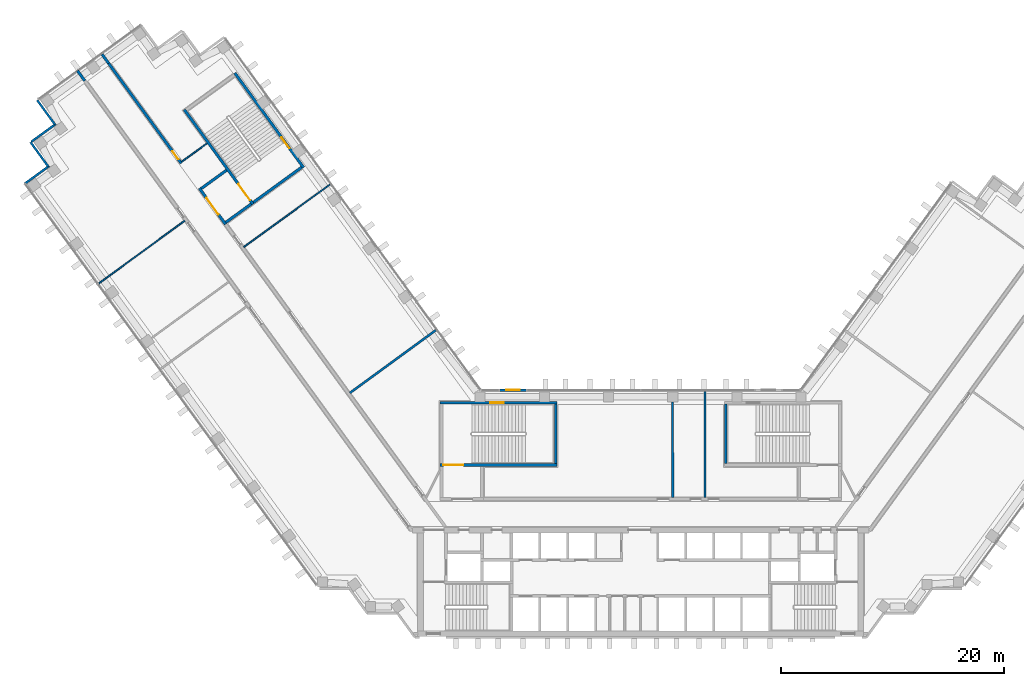
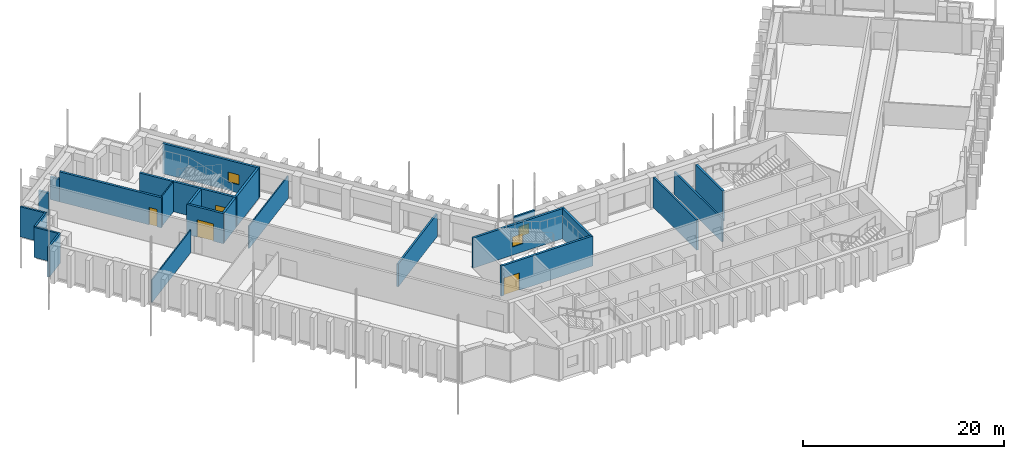
# One storey, part 11 of 16: 24 walls, 4 doors, 3 windows, 7 openings.
"""IFC4 building model written with IfcOpenShell, lengths in metres."""

from ifc_helpers import new_model, si_unit, direction, frame, frame_2d, origin, place, context, subcontext, project, spatial, rectangle, extrude, material, layer, layer_set, type_object, element, fill, save


model = new_model("IFC4")

# Units and contexts
model_context = context("Model", 3, precision=1e-05, world=origin(), true_north=direction((0.0, 1.0)))
body_context = subcontext(model_context, "Body", "Model", "MODEL_VIEW")
ifc_project = project(units=[si_unit("LENGTHUNIT", "METRE"), si_unit("AREAUNIT", "SQUARE_METRE"), si_unit("VOLUMEUNIT", "CUBIC_METRE"), si_unit("PLANEANGLEUNIT", "RADIAN"), si_unit("MASSUNIT", "GRAM", prefix="KILO")], contexts=[model_context])

# Site, building, storey
site_placement = place(None, origin())
site = spatial("IfcSite", under=ifc_project, at=site_placement, CompositionType="ELEMENT")
building_placement = place(site_placement, origin())
building = spatial("IfcBuilding", under=site, at=building_placement, Name="Quipu Civic Tower", CompositionType="ELEMENT")
storey_placement = place(building_placement, frame((0.0, 0.0, 125.0)))
storey = spatial("IfcBuildingStorey", under=building, at=storey_placement, Name="L29", CompositionType="ELEMENT", Elevation=125.0)

# Walls
ifc_material_1 = material(Name="Fired clay blockwork", Category="masonry")
ifc_layer_1 = layer(ifc_material_1, 0.199951171875)
ifc_layer_set_1 = layer_set([ifc_layer_1], Name="Fired clay blockwork")
wall_type_1 = type_object("IfcWallType", Name="Blockwork wall 200", PredefinedType="SOLIDWALL", material=ifc_layer_set_1)
wall_1_placement = place(storey_placement, frame((5.778076171875, 11.0, 0.0), z_axis=(0.0, 0.0, 1.0), x_axis=(0.0, -1.0, 0.0)))
element("IfcWall", 1, at=wall_1_placement, inside=storey, type_object=wall_type_1, Name="Partition P02", PredefinedType="SOLIDWALL", context=body_context, shape_type="SweptSolid", body=[
    extrude(rectangle(XDim=9.550048828125, YDim=0.199951171875, at=frame_2d((4.77490234375, 0.0))), origin(), (0.0, 0.0, 1.0), 2.75),
])
wall_2_placement = place(storey_placement, frame((2.87890625, 1.449951171875, 0.0), z_axis=(0.0, 0.0, 1.0), x_axis=(-0.002357613104, 0.999997220826, 0.0)))
element("IfcWall", 2, at=wall_2_placement, inside=storey, type_object=wall_type_1, Name="Partition P04", PredefinedType="SOLIDWALL", context=body_context, shape_type="SweptSolid", body=[
    extrude(rectangle(XDim=8.594970703125, YDim=0.199951171875, at=frame_2d((4.29736328125, 0.0))), origin(), (0.0, 0.0, 1.0), 3.64990234375),
])
wall_3_placement = place(storey_placement, frame((-26.089111328125, 10.847900390625, 0.0), z_axis=(0.0, 0.0, 1.0), x_axis=(0.807661302092, 0.589646691759, 0.0)))
element("IfcWall", 3, at=wall_3_placement, inside=storey, type_object=wall_type_1, Name="Partition P08", PredefinedType="SOLIDWALL", context=body_context, shape_type="SweptSolid", body=[
    extrude(rectangle(XDim=9.550048828125, YDim=0.199951171875, at=frame_2d((4.77490234375, 0.0))), origin(), (0.0, 0.0, 1.0), 2.75),
])

# Wall, opening, door
ifc_material_2 = material(Name="Concrete C70/85", Category="concrete")
ifc_layer_2 = layer(ifc_material_2, 0.25)
ifc_layer_set_2 = layer_set([ifc_layer_2], Name="Concrete C70/85")
wall_type_2 = type_object("IfcWallType", Name="Core wall 250", PredefinedType="SHEAR", material=ifc_layer_set_2)
wall_4_placement = place(storey_placement, frame((-18.0, 4.375, 0.0), z_axis=(0.0, 0.0, 1.0), x_axis=(1.0, 0.0, 0.0)))
wall_4 = element("IfcWall", 4, at=wall_4_placement, inside=storey, type_object=wall_type_2, Name="Core wall", PredefinedType="SHEAR", context=body_context, shape_type="SweptSolid", body=[
    extrude(rectangle(XDim=10.5, YDim=0.25, at=frame_2d((5.25, 0.0))), origin(), (0.0, 0.0, 1.0), 3.64990234375),
])
opening_1_placement = place(wall_4_placement, frame((0.300048828125, 0.0, 0.0)))
opening_1 = element("IfcOpeningElement", 5, at=opening_1_placement, cuts=wall_4, Name="Opening CD-17", PredefinedType="OPENING", context=body_context, shape_type="SweptSolid", body=[
    extrude(rectangle(XDim=1.800048828125, YDim=2.10009765625, at=frame_2d((0.89990234375, 1.050048828125))), frame((0.0, 0.135009765625, 0.0), z_axis=(0.0, -1.0, 0.0), x_axis=(1.0, 0.0, 0.0)), (0.0, 0.0, 1.0), 0.27001953125),
])
ifc_material_3 = material(Name="Fire rated steel door", Category="steel")
door_type_1 = type_object("IfcDoorType", Name="Fire door FD90 double 1800 x 2100", OperationType="NOTDEFINED", PredefinedType="DOOR", material=ifc_material_3)
door_1_placement = place(opening_1_placement, origin())
door_1 = element("IfcDoor", 6, at=door_1_placement, inside=storey, type_object=door_type_1, Name="Door", OperationType="DOUBLE_DOOR_SINGLE_SWING", OverallHeight=2.10009765625, OverallWidth=1.800048828125, PredefinedType="DOOR", context=body_context, shape_type="SweptSolid", body=[
    extrude(rectangle(XDim=1.800048828125, YDim=2.10009765625, at=frame_2d((0.89990234375, 1.050048828125))), frame((0.0, 0.02490234375, 0.0), z_axis=(0.0, -1.0, 0.0), x_axis=(1.0, 0.0, 0.0)), (0.0, 0.0, 1.0), 0.050048828125),
])
fill(opening_1, door_1)

# Wall
wall_5_placement = place(storey_placement, frame((-7.625, 4.5, 0.0), z_axis=(0.0, 0.0, 1.0), x_axis=(0.0, 1.0, 0.0)))
element("IfcWall", 7, at=wall_5_placement, inside=storey, type_object=wall_type_2, Name="Core wall", PredefinedType="SHEAR", context=body_context, shape_type="SweptSolid", body=[
    extrude(rectangle(XDim=5.35009765625, YDim=0.25, at=frame_2d((2.675048828125, 0.0))), origin(), (0.0, 0.0, 1.0), 3.64990234375),
])

# Wall, opening, window
wall_6_placement = place(storey_placement, frame((-18.0, 9.97509765625, 0.0), z_axis=(0.0, 0.0, 1.0), x_axis=(1.0, 0.0, 0.0)))
wall_6 = element("IfcWall", 8, at=wall_6_placement, inside=storey, type_object=wall_type_2, Name="Core wall", PredefinedType="SHEAR", context=body_context, shape_type="SweptSolid", body=[
    extrude(rectangle(XDim=10.5, YDim=0.25, at=frame_2d((5.25, 0.0))), origin(), (0.0, 0.0, 1.0), 3.64990234375),
])
opening_2_placement = place(wall_6_placement, frame((4.5, 0.0, 1.0)))
opening_2 = element("IfcOpeningElement", 9, at=opening_2_placement, cuts=wall_6, Name="Opening SV-3", PredefinedType="OPENING", context=body_context, shape_type="SweptSolid", body=[
    extrude(rectangle(XDim=1.199951171875, YDim=1.199951171875, at=frame_2d((0.60009765625, 0.60009765625))), frame((0.0, 0.135009765625, 0.0), z_axis=(0.0, -1.0, 0.0), x_axis=(1.0, 0.0, 0.0)), (0.0, 0.0, 1.0), 0.27001953125),
])
ifc_material_4 = material(Name="Aluminium louvre", Category="aluminium")
window_type_1 = type_object("IfcWindowType", Name="Stair ventilation louvre 1200 x 1200", PartitioningType="SINGLE_PANEL", PredefinedType="WINDOW", material=ifc_material_4)
window_1_placement = place(opening_2_placement, origin())
window_1 = element("IfcWindow", 10, at=window_1_placement, inside=storey, type_object=window_type_1, Name="Stair ventilation opening", OverallHeight=1.199951171875, OverallWidth=1.199951171875, PartitioningType="SINGLE_PANEL", PredefinedType="WINDOW", context=body_context, shape_type="SweptSolid", body=[
    extrude(rectangle(XDim=1.199951171875, YDim=1.199951171875, at=frame_2d((0.60009765625, 0.60009765625))), frame((0.0, 0.030029296875, 0.0), z_axis=(0.0, -1.0, 0.0), x_axis=(1.0, 0.0, 0.0)), (0.0, 0.0, 1.0), 0.06005859375),
])
fill(opening_2, window_1)

# Wall
wall_7_placement = place(storey_placement, frame((7.625, 4.5, 0.0), z_axis=(0.0, 0.0, 1.0), x_axis=(0.0, 1.0, 0.0)))
element("IfcWall", 11, at=wall_7_placement, inside=storey, type_object=wall_type_2, Name="Core wall", PredefinedType="SHEAR", context=body_context, shape_type="SweptSolid", body=[
    extrude(rectangle(XDim=5.35009765625, YDim=0.25, at=frame_2d((2.675048828125, 0.0))), origin(), (0.0, 0.0, 1.0), 3.64990234375),
])

# Wall, opening, window
wall_8_placement = place(storey_placement, frame((-30.239501953125, 31.06396484375, 0.0), z_axis=(0.0, 0.0, 1.0), x_axis=(-0.587795589702, 0.809009483706, 0.0)))
wall_8 = element("IfcWall", 12, at=wall_8_placement, inside=storey, type_object=wall_type_2, Name="Core wall", PredefinedType="SHEAR", context=body_context, shape_type="SweptSolid", body=[
    extrude(rectangle(XDim=10.5, YDim=0.25, at=frame_2d((5.25, 0.0))), origin(), (0.0, 0.0, 1.0), 3.64990234375),
])
opening_3_placement = place(wall_8_placement, frame((2.14990234375, 0.0, 1.0)))
opening_3 = element("IfcOpeningElement", 13, at=opening_3_placement, cuts=wall_8, Name="Opening SV-6", PredefinedType="OPENING", context=body_context, shape_type="SweptSolid", body=[
    extrude(rectangle(XDim=1.199951171875, YDim=1.199951171875, at=frame_2d((0.60009765625, 0.60009765625))), frame((0.0, 0.135009765625, 0.0), z_axis=(0.0, -1.0, 0.0), x_axis=(1.0, 0.0, 0.0)), (0.0, 0.0, 1.0), 0.27001953125),
])
window_2_placement = place(opening_3_placement, origin())
window_2 = element("IfcWindow", 14, at=window_2_placement, inside=storey, type_object=window_type_1, Name="Stair ventilation opening", OverallHeight=1.199951171875, OverallWidth=1.199951171875, PartitioningType="SINGLE_PANEL", PredefinedType="WINDOW", context=body_context, shape_type="SweptSolid", body=[
    extrude(rectangle(XDim=1.199951171875, YDim=1.199951171875, at=frame_2d((0.60009765625, 0.60009765625))), frame((0.0, 0.030029296875, 0.0), z_axis=(0.0, -1.0, 0.0), x_axis=(1.0, 0.0, 0.0)), (0.0, 0.0, 1.0), 0.06005859375),
])
fill(opening_3, window_2)

# Wall
wall_9_placement = place(storey_placement, frame((-30.414306640625, 31.091796875, 0.0), z_axis=(0.0, 0.0, 1.0), x_axis=(-0.8089984606, -0.587810760999, 0.0)))
element("IfcWall", 15, at=wall_9_placement, inside=storey, type_object=wall_type_2, Name="Core wall", PredefinedType="SHEAR", context=body_context, shape_type="SweptSolid", body=[
    extrude(rectangle(XDim=5.35009765625, YDim=0.25, at=frame_2d((2.675048828125, 0.0))), origin(), (0.0, 0.0, 1.0), 3.64990234375),
])

# Wall, opening, door
wall_10_placement = place(storey_placement, frame((-40.94189453125, 36.26708984375, 0.0), z_axis=(0.0, 0.0, 1.0), x_axis=(0.587795589702, -0.809009483706, 0.0)))
wall_10 = element("IfcWall", 16, at=wall_10_placement, inside=storey, type_object=wall_type_2, Name="Core wall", PredefinedType="SHEAR", context=body_context, shape_type="SweptSolid", body=[
    extrude(rectangle(XDim=10.5, YDim=0.25, at=frame_2d((5.25, 0.0))), origin(), (0.0, 0.0, 1.0), 3.64990234375),
])
opening_4_placement = place(wall_10_placement, frame((8.25, 0.0, 0.0)))
opening_4 = element("IfcOpeningElement", 17, at=opening_4_placement, cuts=wall_10, Name="Opening CD-20", PredefinedType="OPENING", context=body_context, shape_type="SweptSolid", body=[
    extrude(rectangle(XDim=1.800048828125, YDim=2.10009765625, at=frame_2d((0.89990234375, 1.050048828125))), frame((0.0, 0.135009765625, 0.0), z_axis=(0.0, -1.0, 0.0), x_axis=(1.0, 0.0, 0.0)), (0.0, 0.0, 1.0), 0.27001953125),
])
door_2_placement = place(opening_4_placement, origin())
door_2 = element("IfcDoor", 18, at=door_2_placement, inside=storey, type_object=door_type_1, Name="Door", OperationType="DOUBLE_DOOR_SINGLE_SWING", OverallHeight=2.10009765625, OverallWidth=1.800048828125, PredefinedType="DOOR", context=body_context, shape_type="SweptSolid", body=[
    extrude(rectangle(XDim=1.800048828125, YDim=2.10009765625, at=frame_2d((0.89990234375, 1.050048828125))), frame((0.0, 0.02490234375, 0.0), z_axis=(0.0, -1.0, 0.0), x_axis=(1.0, 0.0, 0.0)), (0.0, 0.0, 1.0), 0.050048828125),
])
fill(opening_4, door_2)

# Walls
for number, where, z_axis, x_axis, name in (
    (19, (-34.944580078125, 27.800048828125, 0.0), (0.0, 0.0, 1.0), (-0.809041377956, -0.587751689708, 0.0), "Core wall"),
    (20, (-37.14892578125, 30.833984375, 0.0), (0.0, 0.0, 1.0), (-0.808969789945, -0.58785021813, 0.0), "Core wall"),
):
    element("IfcWall", number, at=place(storey_placement, frame(where, z_axis=z_axis, x_axis=x_axis)), inside=storey, type_object=wall_type_2, Name=name, PredefinedType="SHEAR", context=body_context, shape_type="SweptSolid", body=[
        extrude(rectangle(XDim=2.800048828125, YDim=0.25, at=frame_2d((1.39990234375, 0.0))), origin(), (0.0, 0.0, 1.0), 3.64990234375),
    ])

# Wall, opening, door
wall_11_placement = place(storey_placement, frame((-39.588623046875, 29.2158203125, 0.0), z_axis=(0.0, 0.0, 1.0), x_axis=(0.587772420479, -0.809026317077, 0.0)))
wall_11 = element("IfcWall", 21, at=wall_11_placement, inside=storey, type_object=wall_type_2, Name="Core wall", PredefinedType="SHEAR", context=body_context, shape_type="SweptSolid", body=[
    extrude(rectangle(XDim=4.0, YDim=0.25, at=frame_2d((2.0, 0.0))), origin(), (0.0, 0.0, 1.0), 3.64990234375),
])
opening_5_placement = place(wall_11_placement, frame((1.10009765625, 0.0, 0.0)))
opening_5 = element("IfcOpeningElement", 22, at=opening_5_placement, cuts=wall_11, Name="Opening CD-21", PredefinedType="OPENING", context=body_context, shape_type="SweptSolid", body=[
    extrude(rectangle(XDim=1.800048828125, YDim=2.10009765625, at=frame_2d((0.89990234375, 1.050048828125))), frame((0.0, 0.135009765625, 0.0), z_axis=(0.0, -1.0, 0.0), x_axis=(1.0, 0.0, 0.0)), (0.0, 0.0, 1.0), 0.27001953125),
])
door_3_placement = place(opening_5_placement, origin())
door_3 = element("IfcDoor", 23, at=door_3_placement, inside=storey, type_object=door_type_1, Name="Lobby door", OperationType="DOUBLE_DOOR_SINGLE_SWING", OverallHeight=2.10009765625, OverallWidth=1.800048828125, PredefinedType="DOOR", context=body_context, shape_type="SweptSolid", body=[
    extrude(rectangle(XDim=1.800048828125, YDim=2.10009765625, at=frame_2d((0.89990234375, 1.050048828125))), frame((0.0, 0.02490234375, 0.0), z_axis=(0.0, -1.0, 0.0), x_axis=(1.0, 0.0, 0.0)), (0.0, 0.0, 1.0), 0.050048828125),
])
fill(opening_5, door_3)

ifc_material_5 = material(Name="Concrete C50/60", Category="concrete")
ifc_layer_3 = layer(ifc_material_5, 0.25)
ifc_layer_set_3 = layer_set([ifc_layer_3], Name="Concrete C50/60")
wall_type_3 = type_object("IfcWallType", Name="Corridor wall 250 concrete", PredefinedType="SOLIDWALL", material=ifc_layer_set_3)
wall_12_placement = place(storey_placement, frame((-47.724853515625, 40.414306640625, 0.0), z_axis=(0.0, 0.0, 1.0), x_axis=(0.587773291021, -0.809025684612, 0.0)))
wall_12 = element("IfcWall", 24, at=wall_12_placement, inside=storey, type_object=wall_type_3, Name="Corridor wall C02", PredefinedType="SOLIDWALL", context=body_context, shape_type="SweptSolid", body=[
    extrude(rectangle(XDim=11.07861328125, YDim=0.25, at=frame_2d((5.539306640625, 0.0))), origin(), (0.0, 0.0, 1.0), 3.64990234375),
])
opening_6_placement = place(wall_12_placement, frame((9.737060546875, 0.0, 0.0)))
opening_6 = element("IfcOpeningElement", 25, at=opening_6_placement, cuts=wall_12, Name="Opening D009", PredefinedType="OPENING", context=body_context, shape_type="SweptSolid", body=[
    extrude(rectangle(XDim=0.89990234375, YDim=2.10009765625, at=frame_2d((0.449951171875, 1.050048828125))), frame((0.0, 0.135009765625, 0.0), z_axis=(0.0, -1.0, 0.0), x_axis=(1.0, 0.0, 0.0)), (0.0, 0.0, 1.0), 0.27001953125),
])
ifc_material_6 = material(Name="Fire rated timber door set with metal frame", Category="wood")
door_type_2 = type_object("IfcDoorType", Name="Single door 900 x 2100 FD60", OperationType="NOTDEFINED", PredefinedType="DOOR", material=ifc_material_6)
door_4_placement = place(opening_6_placement, origin())
door_4 = element("IfcDoor", 26, at=door_4_placement, inside=storey, type_object=door_type_2, Name="Door D009", OperationType="SINGLE_SWING_RIGHT", OverallHeight=2.10009765625, OverallWidth=0.89990234375, PredefinedType="DOOR", context=body_context, shape_type="SweptSolid", body=[
    extrude(rectangle(XDim=0.89990234375, YDim=2.10009765625, at=frame_2d((0.449951171875, 1.050048828125))), frame((0.0, 0.02490234375, 0.0), z_axis=(0.0, -1.0, 0.0), x_axis=(1.0, 0.0, 0.0)), (0.0, 0.0, 1.0), 0.050048828125),
])
fill(opening_6, door_4)

# Walls
wall_13_placement = place(storey_placement, frame((-49.86865234375, 38.8564453125, 0.0), z_axis=(0.0, 0.0, 1.0), x_axis=(-0.587674273289, 0.809097613712, 0.0)))
element("IfcWall", 27, at=wall_13_placement, inside=storey, type_object=wall_type_3, Name="Corridor wall C01", PredefinedType="SOLIDWALL", context=body_context, shape_type="SweptSolid", body=[
    extrude(rectangle(XDim=1.109130859375, YDim=0.25, at=frame_2d((0.5546875, 0.0))), origin(), (0.0, 0.0, 1.0), 2.75),
])
wall_14_placement = place(storey_placement, frame((-47.724853515625, 40.414306640625, 0.0), z_axis=(0.0, 0.0, 1.0), x_axis=(-0.587840411638, 0.808976915892, 0.0)))
element("IfcWall", 28, at=wall_14_placement, inside=storey, type_object=wall_type_3, Name="Corridor wall C02", PredefinedType="SOLIDWALL", context=body_context, shape_type="SweptSolid", body=[
    extrude(rectangle(XDim=1.008056640625, YDim=0.25, at=frame_2d((0.50390625, 0.0))), origin(), (0.0, 0.0, 1.0), 2.75),
])
ifc_material_7 = material(Name="Gypsum plasterboard on light gauge framing")
ifc_layer_4 = layer(ifc_material_7, 0.1201171875)
ifc_layer_set_4 = layer_set([ifc_layer_4], Name="Gypsum plasterboard on light gauge framing")
wall_type_4 = type_object("IfcWallType", Name="Partition 120 plasterboard", PredefinedType="PARTITIONING", material=ifc_layer_set_4)
wall_15_placement = place(storey_placement, frame((-48.615478515625, 20.67138671875, 0.0), z_axis=(0.0, 0.0, 1.0), x_axis=(0.807691251741, 0.589605666408, 0.0)))
element("IfcWall", 29, at=wall_15_placement, inside=storey, type_object=wall_type_4, Name="Partition P01", PredefinedType="PARTITIONING", context=body_context, shape_type="SweptSolid", body=[
    extrude(rectangle(XDim=9.55029296875, YDim=0.1201171875, at=frame_2d((4.775146484375, 0.0))), origin(), (0.0, 0.0, 1.0), 2.75),
])
wall_16_placement = place(storey_placement, frame((-27.873046875, 29.550537109375, 0.0), z_axis=(0.0, 0.0, 1.0), x_axis=(-0.809043311713, -0.587749027879, 0.0)))
element("IfcWall", 30, at=wall_16_placement, inside=storey, type_object=wall_type_4, Name="Partition P09", PredefinedType="PARTITIONING", context=body_context, shape_type="SweptSolid", body=[
    extrude(rectangle(XDim=9.549560546875, YDim=0.1201171875, at=frame_2d((4.77490234375, 0.0))), origin(), (0.0, 0.0, 1.0), 2.75),
])
wall_17_placement = place(storey_placement, frame((-41.166015625, 31.59912109375, 0.0), z_axis=(0.0, 0.0, 1.0), x_axis=(0.809090262332, 0.587684394381, 0.0)))
element("IfcWall", 31, at=wall_17_placement, inside=storey, type_object=wall_type_4, Name="Partition P12", PredefinedType="PARTITIONING", context=body_context, shape_type="SweptSolid", body=[
    extrude(rectangle(XDim=2.80078125, YDim=0.1201171875, at=frame_2d((1.400390625, 0.0))), origin(), (0.0, 0.0, 1.0), 3.64990234375),
])
ifc_material_8 = material(Name="Precast concrete C40/50", Category="concrete")
wall_type_5 = type_object("IfcWallType", Name="Precast cladding wall", PredefinedType="SOLIDWALL", material=ifc_material_8)
for number, where, z_axis, x_axis, name in (
    (32, (-54.140380859375, 37.12255859375, 0.0), (0.0, 0.0, 1.0), (0.587822180636, -0.808990163075, 0.0), "Precast cladding wall L29 P10"),
    (33, (-52.46533203125, 34.9873046875, 0.0), (0.0, 0.0, 1.0), (-0.809033161865, -0.587762999008, 0.0), "Precast cladding wall L29 P11"),
):
    element("IfcWall", number, at=place(storey_placement, frame(where, z_axis=z_axis, x_axis=x_axis)), inside=storey, type_object=wall_type_5, Name=name, PredefinedType="SOLIDWALL", context=body_context, shape_type="SweptSolid", body=[
        extrude(rectangle(XDim=2.699951171875, YDim=0.199951171875, at=frame_2d((1.35009765625, 0.0))), origin(), (0.0, 0.0, 1.0), 3.64990234375),
    ])
wall_18_placement = place(storey_placement, frame((-54.73779296875, 33.351318359375, 0.0), z_axis=(0.0, 0.0, 1.0), x_axis=(0.587779184282, -0.809021403008, 0.0)))
element("IfcWall", 34, at=wall_18_placement, inside=storey, type_object=wall_type_5, Name="Precast cladding wall L29 P12", PredefinedType="SOLIDWALL", context=body_context, shape_type="SweptSolid", body=[
    extrude(rectangle(XDim=2.7001953125, YDim=0.199951171875, at=frame_2d((1.35009765625, 0.0))), origin(), (0.0, 0.0, 1.0), 3.64990234375),
])
wall_19_placement = place(storey_placement, frame((-53.062744140625, 31.2158203125, 0.0), z_axis=(0.0, 0.0, 1.0), x_axis=(-0.809033161865, -0.587762999008, 0.0)))
element("IfcWall", 35, at=wall_19_placement, inside=storey, type_object=wall_type_5, Name="Precast cladding wall L29 P13", PredefinedType="SOLIDWALL", context=body_context, shape_type="SweptSolid", body=[
    extrude(rectangle(XDim=2.699951171875, YDim=0.199951171875, at=frame_2d((1.35009765625, 0.0))), origin(), (0.0, 0.0, 1.0), 3.64990234375),
])

# Wall, opening, window
wall_20_placement = place(storey_placement, frame((-10.263427734375, 11.10009765625, 0.0), z_axis=(0.0, 0.0, 1.0), x_axis=(-1.0, 0.0, 0.0)))
wall_20 = element("IfcWall", 36, at=wall_20_placement, inside=storey, type_object=wall_type_5, Name="Vent surround SF-L28-1", PredefinedType="SOLIDWALL", context=body_context, shape_type="SweptSolid", body=[
    extrude(rectangle(XDim=2.3916015625, YDim=0.199951171875, at=frame_2d((1.19580078125, 0.0))), origin(), (0.0, 0.0, 1.0), 3.64990234375),
])
opening_7_placement = place(wall_20_placement, frame((0.595703125, 0.0, 1.0)))
opening_7 = element("IfcOpeningElement", 37, at=opening_7_placement, cuts=wall_20, Name="Opening SF-L28-1", PredefinedType="OPENING", context=body_context, shape_type="SweptSolid", body=[
    extrude(rectangle(XDim=1.199951171875, YDim=1.199951171875, at=frame_2d((0.60009765625, 0.60009765625))), frame((0.0, 0.10986328125, 0.0), z_axis=(0.0, -1.0, 0.0), x_axis=(1.0, 0.0, 0.0)), (0.0, 0.0, 1.0), 0.219970703125),
])
ifc_material_9 = material(Name="Anodised aluminium louvre", Category="aluminium")
window_type_2 = type_object("IfcWindowType", Name="Stair vent louvre window P3", PartitioningType="SINGLE_PANEL", PredefinedType="WINDOW", material=ifc_material_9)
window_3_placement = place(opening_7_placement, origin())
window_3 = element("IfcWindow", 38, at=window_3_placement, inside=storey, type_object=window_type_2, Name="Stair vent louvre SF-L28-1", OverallHeight=1.199951171875, OverallWidth=1.199951171875, PartitioningType="SINGLE_PANEL", PredefinedType="WINDOW", context=body_context, shape_type="SweptSolid", body=[
    extrude(rectangle(XDim=1.199951171875, YDim=1.199951171875, at=frame_2d((0.60009765625, 0.60009765625))), frame((0.0, 0.030029296875, 0.0), z_axis=(0.0, -1.0, 0.0), x_axis=(1.0, 0.0, 0.0)), (0.0, 0.0, 1.0), 0.06005859375),
])
fill(opening_7, window_3)

save(model, "model.ifc")
